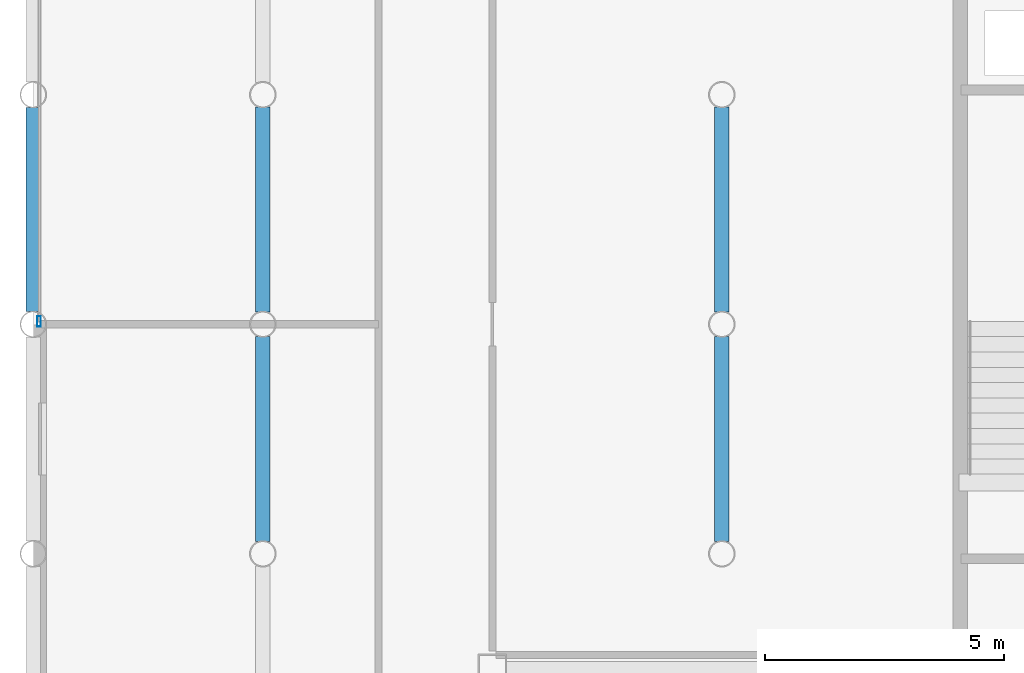
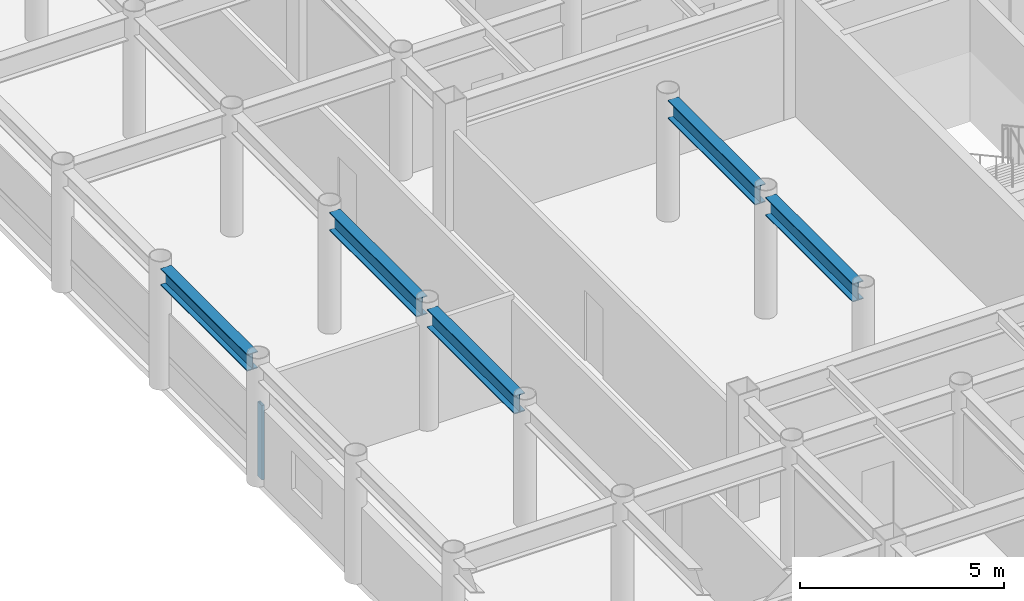
# One storey, part 6 of 22: 5 beams, 1 member, 1 element without a shape of its own.
"""IFC4 building model written with IfcOpenShell, lengths in metres."""

import ifcopenshell
import ifcopenshell.guid

model = None  # the IFC model being written
_history = None  # IfcOwnerHistory: only IFC2X3 demands one
_inside = {}  # id of a spatial element -> (the spatial element, [elements in it])
_under = {}  # id of a project, library or spatial element -> (it, [spatial elements below it])
_declared = {}  # id of a project -> (the project, [libraries it declares])
_typed = {}  # id of a type object -> (the type object, [elements of that type])
_made_of = {}  # id of a material, layer set ... -> (it, [elements and type objects made of it])


def new_model(schema):
    """Start an empty IFC model of exactly this schema.

    Asked for "IFC4X3", IfcOpenShell would pick the latest addendum, in which some entities
    have other attributes; the version numbers below select the first issue.
    IFC2X3 requires an IfcOwnerHistory on every rooted entity: one is made here for all.
    """
    global model, _history
    if schema == "IFC4X3":
        model = ifcopenshell.file(schema_version=(4, 3, 0, 0))
    else:
        model = ifcopenshell.file(schema=schema)
    _inside.clear()
    _under.clear()
    _declared.clear()
    _typed.clear()
    _made_of.clear()
    _history = None
    if model.schema == "IFC2X3":
        org = make("IfcOrganization", Name="unknown")
        user = make(
            "IfcPersonAndOrganization",
            ThePerson=make("IfcPerson", FamilyName="unknown"),
            TheOrganization=org,
        )
        app = make(
            "IfcApplication",
            ApplicationDeveloper=org,
            Version="unknown",
            ApplicationFullName="unknown",
            ApplicationIdentifier="unknown",
        )
        _history = make(
            "IfcOwnerHistory",
            OwningUser=user,
            OwningApplication=app,
            ChangeAction="ADDED",
            CreationDate=0,
        )
    return model


def make(cls, **values):
    """One entity of the class cls with the attributes given. An attribute that is None is left unset."""
    return model.create_entity(
        cls, **{name: value for name, value in values.items() if value is not None}
    )


def rooted(cls, **values):
    """An entity with a GlobalId (a new one), such as an element, a storey or a relation."""
    return make(cls, GlobalId=ifcopenshell.guid.new(), OwnerHistory=_history, **values)


def si_unit(unit_type, name, prefix=None):
    """IfcSIUnit, for example si_unit("LENGTHUNIT", "METRE", prefix="MILLI")."""
    return make("IfcSIUnit", UnitType=unit_type, Prefix=prefix, Name=name)


def assignment(units):
    """IfcUnitAssignment: the units of a project."""
    return None if units is None else make("IfcUnitAssignment", Units=units)


def point(xyz):
    """IfcCartesianPoint."""
    return None if xyz is None else make("IfcCartesianPoint", Coordinates=xyz)


def direction(xyz):
    """IfcDirection."""
    return None if xyz is None else make("IfcDirection", DirectionRatios=xyz)


def frame(location, z_axis=None, x_axis=None):
    """IfcAxis2Placement3D, a coordinate frame: its origin and axes. An axis left out is left unset."""
    return make(
        "IfcAxis2Placement3D",
        Location=point(location),
        Axis=direction(z_axis),
        RefDirection=direction(x_axis),
    )


def frame_2d(location, x_axis=None):
    """IfcAxis2Placement2D, a coordinate frame in the plane: its origin and x axis."""
    return make(
        "IfcAxis2Placement2D", Location=point(location), RefDirection=direction(x_axis)
    )


def origin():
    """The frame at (0, 0, 0) with its axes left unset."""
    return frame((0.0, 0.0, 0.0))


def origin_2d():
    """The frame at (0, 0) in the plane with its x axis left unset."""
    return frame_2d((0.0, 0.0))


def place(relative_to, where):
    """IfcLocalPlacement: puts the frame where relative to a parent placement (None: the world)."""
    return make(
        "IfcLocalPlacement", PlacementRelTo=relative_to, RelativePlacement=where
    )


def context(
    kind, dimensions, precision=None, world=None, true_north=None, identifier=None
):
    """IfcGeometricRepresentationContext, for example the 3D "Model" context."""
    return make(
        "IfcGeometricRepresentationContext",
        ContextIdentifier=identifier,
        ContextType=kind,
        CoordinateSpaceDimension=dimensions,
        Precision=precision,
        WorldCoordinateSystem=world,
        TrueNorth=true_north,
    )


def subcontext(parent, identifier, kind, view, scale=None):
    """IfcGeometricRepresentationSubContext, for example "Body" below "Model"."""
    return make(
        "IfcGeometricRepresentationSubContext",
        ContextIdentifier=identifier,
        ContextType=kind,
        ParentContext=parent,
        TargetScale=scale,
        TargetView=view,
    )


def project(units=None, contexts=None):
    """IfcProject with its units and contexts."""
    return rooted(
        "IfcProject",
        Name="project",
        RepresentationContexts=contexts,
        UnitsInContext=assignment(units),
    )


def spatial(cls, under=None, at=None, **own):
    """A site, building, storey or space (cls), placed at a placement, below another one or the project."""
    s = rooted(cls, ObjectPlacement=at, **own)
    if under is not None:
        _under.setdefault(under.id(), (under, []))[1].append(s)
    return s


def profile(cls, at=None, kind="AREA", **sizes):
    """A parametric profile (cls). Its sizes go by their IFC names, for example OverallWidth=200.0."""
    return make(cls, ProfileType=kind, Position=at, **sizes)


def hollow_rectangle(**sizes):
    """IfcRectangleHollowProfileDef."""
    return profile("IfcRectangleHollowProfileDef", **sizes)


def i_section(**sizes):
    """IfcIShapeProfileDef."""
    return profile("IfcIShapeProfileDef", **sizes)


def extrude(swept, where, along, depth):
    """IfcExtrudedAreaSolid: the profile swept, set in the frame where, extruded along a direction by depth."""
    return make(
        "IfcExtrudedAreaSolid",
        SweptArea=swept,
        Position=where,
        ExtrudedDirection=direction(along),
        Depth=depth,
    )


def shape(context_of_items, identifier, shape_type, items):
    """IfcShapeRepresentation: the items that make up one representation, for example the "Body"."""
    return make(
        "IfcShapeRepresentation",
        ContextOfItems=context_of_items,
        RepresentationIdentifier=identifier,
        RepresentationType=shape_type,
        Items=items,
    )


def material(Name=None, Category=None):
    """IfcMaterial."""
    return make("IfcMaterial", Name=Name, Category=Category)


def layer(
    of_material, thickness, ventilated=None, Name=None, Category=None, Priority=None
):
    """IfcMaterialLayer: one layer of a wall or slab, of a material (None: an air gap)."""
    return make(
        "IfcMaterialLayer",
        Material=of_material,
        LayerThickness=thickness,
        IsVentilated=ventilated,
        Name=Name,
        Category=Category,
        Priority=Priority,
    )


def layer_set(layers, Name=None):
    """IfcMaterialLayerSet."""
    return make("IfcMaterialLayerSet", MaterialLayers=layers, LayerSetName=Name)


def material_profile(
    of_material, cross_section, Name=None, Category=None, Priority=None
):
    """IfcMaterialProfile: a cross section and its material."""
    return make(
        "IfcMaterialProfile",
        Name=Name,
        Material=of_material,
        Profile=cross_section,
        Priority=Priority,
        Category=Category,
    )


def profile_set(profiles, Name=None, composite=None):
    """IfcMaterialProfileSet."""
    return make(
        "IfcMaterialProfileSet",
        Name=Name,
        MaterialProfiles=profiles,
        CompositeProfile=composite,
    )


def made_of(thing, what):
    """Note that an element or type object is made of a material, layer set ...; save() writes the relation."""
    if what is not None:
        _made_of.setdefault(what.id(), (what, []))[1].append(thing)
    return thing


def type_object(cls, material=None, **own):
    """A type object (cls), such as IfcWallType, which elements share."""
    return made_of(rooted(cls, **own), material)


def element(
    cls,
    number,
    at=None,
    inside=None,
    cuts=None,
    type_object=None,
    material=None,
    context=None,
    identifier="Body",
    shape_type=None,
    held_by="IfcProductDefinitionShape",
    body=None,
    shapes=None,
    **own,
):
    """One element of the class cls, such as IfcWall. Its Tag is "e" and its number.

    at: its placement. inside: the storey or other place that contains it. cuts: it is an
    opening in that element (IfcRelVoidsElement). A single representation is given by context,
    identifier, shape_type and body (its items); several are given by shapes. held_by: the class
    of the entity that holds the representations. save() writes the other relations.
    """
    e = rooted(cls, Tag="e%d" % number, ObjectPlacement=at, **own)
    if body is not None:
        shapes = [shape(context, identifier, shape_type, body)]
    if shapes is not None:
        e.Representation = make(held_by, Representations=shapes)
    if inside is not None:
        _inside.setdefault(inside.id(), (inside, []))[1].append(e)
    if cuts is not None:
        rooted(
            "IfcRelVoidsElement", RelatingBuildingElement=cuts, RelatedOpeningElement=e
        )
    if type_object is not None:
        _typed.setdefault(type_object.id(), (type_object, []))[1].append(e)
    return made_of(e, material)


def aggregate(whole, parts):
    """IfcRelAggregates: a whole, such as a stair, and the parts it consists of."""
    return rooted("IfcRelAggregates", RelatingObject=whole, RelatedObjects=parts)


def save(model, path):
    """Write the relations noted so far, then the file.

    IfcRelAggregates (storeys below a building ...), IfcRelContainedInSpatialStructure (elements
    in a storey), IfcRelDefinesByType, IfcRelAssociatesMaterial and IfcRelDeclares: one each for
    every whole, place, type object, material and project.
    """
    for whole, parts in _under.values():
        aggregate(whole, parts)
    for where, things in _inside.values():
        rooted(
            "IfcRelContainedInSpatialStructure",
            RelatedElements=things,
            RelatingStructure=where,
        )
    for kind, things in _typed.values():
        rooted("IfcRelDefinesByType", RelatedObjects=things, RelatingType=kind)
    for what, things in _made_of.values():
        rooted("IfcRelAssociatesMaterial", RelatedObjects=things, RelatingMaterial=what)
    for by, libraries in _declared.values():
        rooted("IfcRelDeclares", RelatingContext=by, RelatedDefinitions=libraries)
    model.write(path)


model = new_model("IFC4")

# Units and contexts
model_context = context("Model", 3, precision=1e-05, world=origin(), true_north=direction((0.0, 1.0)))
body_context = subcontext(model_context, "Body", "Model", "MODEL_VIEW")
ifc_project = project(units=[si_unit("LENGTHUNIT", "METRE"), si_unit("AREAUNIT", "SQUARE_METRE"), si_unit("VOLUMEUNIT", "CUBIC_METRE"), si_unit("PLANEANGLEUNIT", "RADIAN"), si_unit("MASSUNIT", "GRAM", prefix="KILO")], contexts=[model_context])

# Site, building, storey
site_placement = place(None, origin())
site = spatial("IfcSite", under=ifc_project, at=site_placement, CompositionType="ELEMENT")
building_placement = place(site_placement, origin())
building = spatial("IfcBuilding", under=site, at=building_placement, Name="Kallvorn Hotel Tower", CompositionType="ELEMENT")
storey_placement = place(building_placement, frame((0.0, 0.0, 264.64990234375)))
storey = spatial("IfcBuildingStorey", under=building, at=storey_placement, Name="L66", CompositionType="ELEMENT", Elevation=264.64990234375)

# Beams
ifc_material_1 = material(Name="Structural steel S355JR", Category="steel")
ifc_material_profile_1 = material_profile(ifc_material_1, i_section(OverallWidth=0.300048828125, OverallDepth=0.5, WebThickness=0.014404296875, FlangeThickness=0.028076171875, at=origin_2d()), Name="HE 500 B")
ifc_profile_set_1 = profile_set([ifc_material_profile_1], Name="Structural steel S355JR")
beam_type_1 = type_object("IfcBeamType", Name="BM_HE500B", PredefinedType="SPANDREL", material=ifc_profile_set_1)
beam_placement = place(storey_placement, frame((-33.60009765625, 0.26953125, 3.420166015625), z_axis=(0.0, 1.0, 0.0), x_axis=(-1.0, 0.0, 0.0)))
element("IfcBeam", 1, at=beam_placement, inside=storey, type_object=beam_type_1, Name="L67 Perimeter Spandrel 177", PredefinedType="SPANDREL", context=body_context, shape_type="SweptSolid", body=[
    extrude(i_section(OverallWidth=0.300048828125, OverallDepth=0.5, WebThickness=0.014404296875, FlangeThickness=0.028076171875, at=origin_2d()), origin(), (0.0, 0.0, 1.0), 4.260986328125),
])
ifc_material_2 = material(Name="Structural steel S355JR", Category="steel")
ifc_material_profile_2 = material_profile(ifc_material_2, i_section(OverallWidth=0.300048828125, OverallDepth=0.550048828125, WebThickness=0.014892578125, FlangeThickness=0.029052734375, at=origin_2d()), Name="HE 550 B")
ifc_profile_set_2 = profile_set([ifc_material_profile_2], Name="Structural steel S355JR")
beam_type_2 = type_object("IfcBeamType", Name="BM_HE550B", PredefinedType="SPANDREL", material=ifc_profile_set_2)
for number, where, z_axis, x_axis, name in (
    (2, (-28.800048828125, -4.54541015625, 3.39501953125), (0.0, 1.0, 0.0), (-1.0, 0.0, 0.0), "L67 Primary Y-Girder 76"),
    (3, (-28.800048828125, 0.25439453125, 3.39501953125), (0.0, 1.0, 0.0), (-1.0, 0.0, 0.0), "L67 Primary Y-Girder 77"),
    (4, (-19.199951171875, -4.54541015625, 3.39501953125), (0.0, 1.0, 0.0), (-1.0, 0.0, 0.0), "L67 Primary Y-Girder 92"),
    (5, (-19.199951171875, 0.25439453125, 3.39501953125), (0.0, 1.0, 0.0), (-1.0, 0.0, 0.0), "L67 Primary Y-Girder 93"),
):
    element("IfcBeam", number, at=place(storey_placement, frame(where, z_axis=z_axis, x_axis=x_axis)), inside=storey, type_object=beam_type_2, Name=name, PredefinedType="SPANDREL", context=body_context, shape_type="SweptSolid", body=[
        extrude(i_section(OverallWidth=0.300048828125, OverallDepth=0.550048828125, WebThickness=0.014892578125, FlangeThickness=0.029052734375, at=origin_2d()), origin(), (0.0, 0.0, 1.0), 4.291015625),
    ])

# Curtain wall, member
ifc_material_3 = material(Name="Thermally broken black-anodised aluminium AA 6063-T6", Category="aluminium")
ifc_layer = layer(ifc_material_3, 0.22998046875)
ifc_layer_set = layer_set([ifc_layer], Name="CW_SYS_5_HOTEL_HIGH")
curtain_wall_type = type_object("IfcCurtainWallType", Name="CW_SYS_5_HOTEL_HIGH", PredefinedType="USERDEFINED", material=ifc_layer_set)
curtain_wall_placement = place(storey_placement, origin())
curtain_wall = element("IfcCurtainWall", 6, at=curtain_wall_placement, inside=storey, type_object=curtain_wall_type, Name="L66 Dark-Glass Curtain Wall CW-L66-WN", ObjectType="UNITISED CURTAIN WALL", PredefinedType="USERDEFINED")
ifc_material_4 = material(Name="Thermally broken black-anodised aluminium AA 6063-T6", Category="aluminium")
ifc_material_profile_3 = material_profile(ifc_material_4, hollow_rectangle(XDim=0.080078125, YDim=0.219970703125, WallThickness=0.0048828125, at=origin_2d()), Name="MUL 220x80")
ifc_profile_set_3 = profile_set([ifc_material_profile_3], Name="Thermally broken black-anodised aluminium AA 6063-T6")
member_type = type_object("IfcMemberType", Name="CW_MULLION_220x80", PredefinedType="MULLION", material=ifc_profile_set_3)
member_placement = place(storey_placement, frame((-33.47998046875, 0.06005859375, 0.02001953125), z_axis=(0.0, 0.0, 1.0), x_axis=(1.0, 0.0, 0.0)))
member = element("IfcMember", 7, at=member_placement, type_object=member_type, Name="CW-L66-WN Mullion 00", PredefinedType="MULLION", context=body_context, shape_type="SweptSolid", body=[
    extrude(hollow_rectangle(XDim=0.080078125, YDim=0.219970703125, WallThickness=0.0048828125, at=origin_2d()), origin(), (0.0, 0.0, 1.0), 2.22998046875),
])
aggregate(curtain_wall, [member])

save(model, "model.ifc")
